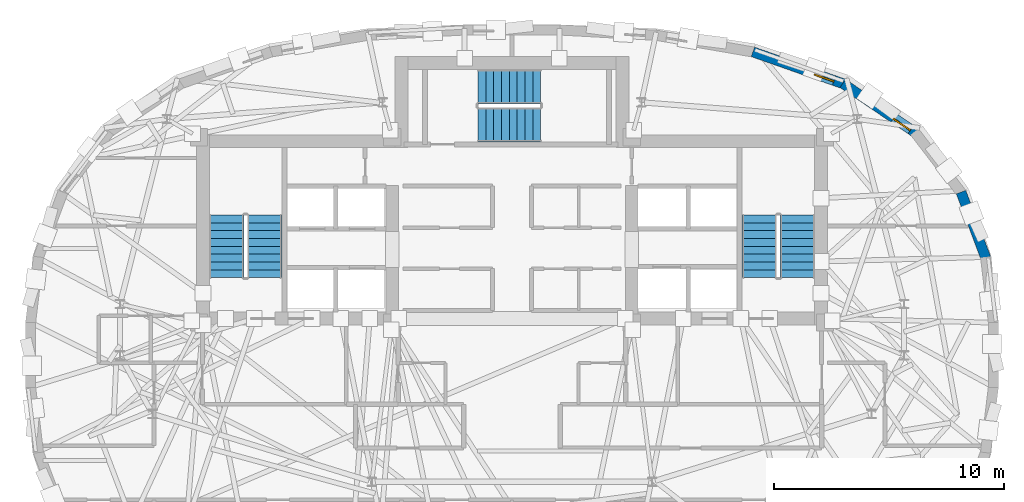
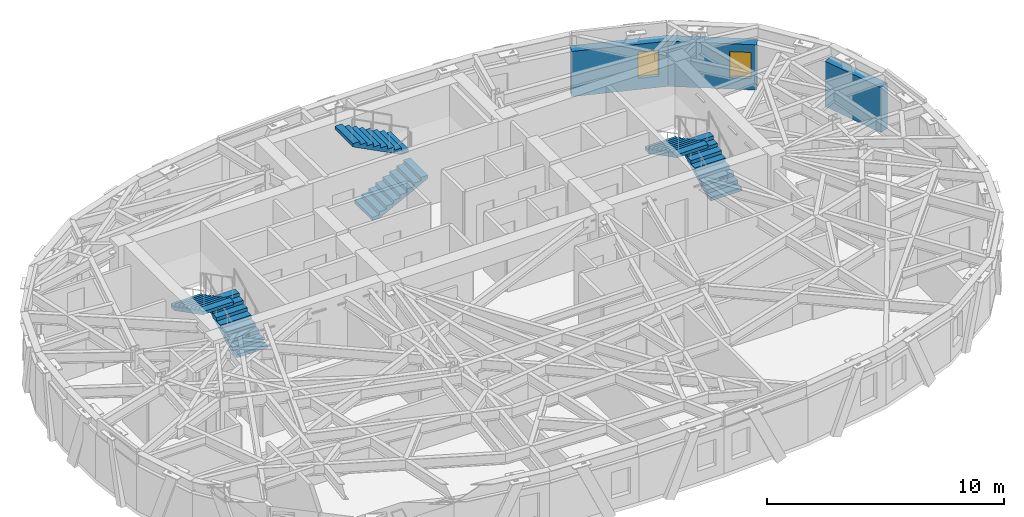
# One storey, part 9 of 12: 6 stair flights, 3 walls, 2 windows, 2 openings, 3 elements without a shape of their own.
"""IFC4 building model written with IfcOpenShell, lengths in metres."""

from ifc_helpers import new_model, si_unit, direction, frame, frame_2d, origin, place, context, subcontext, project, spatial, polyline, rectangle, outline, extrude, material, layer, layer_set, type_object, element, fill, aggregate, save


model = new_model("IFC4")

# Units and contexts
model_context = context("Model", 3, precision=1e-05, world=origin(), true_north=direction((0.0, 1.0)))
body_context = subcontext(model_context, "Body", "Model", "MODEL_VIEW")
ifc_project = project(units=[si_unit("LENGTHUNIT", "METRE"), si_unit("AREAUNIT", "SQUARE_METRE"), si_unit("VOLUMEUNIT", "CUBIC_METRE"), si_unit("PLANEANGLEUNIT", "RADIAN"), si_unit("MASSUNIT", "GRAM", prefix="KILO")], contexts=[model_context])

# Site, building, storey
site_placement = place(None, origin())
site = spatial("IfcSite", under=ifc_project, at=site_placement, CompositionType="ELEMENT")
building_placement = place(site_placement, origin())
building = spatial("IfcBuilding", under=site, at=building_placement, Name="Keldmark Tower", CompositionType="ELEMENT")
storey_placement = place(building_placement, frame((0.0, 0.0, 247.800048828125)))
storey = spatial("IfcBuildingStorey", under=building, at=storey_placement, Name="L70", CompositionType="ELEMENT", Elevation=247.800048828125)

# Wall
ifc_material_1 = material(Name="Ironspot Manganese Brick and Kasota Buff Limestone Spandrel Assembly", Category="masonry")
ifc_layer = layer(ifc_material_1, 0.43994140625)
ifc_layer_set = layer_set([ifc_layer], Name="Ironspot Manganese Brick and Kasota Buff Limestone Spandrel Assembly")
wall_type = type_object("IfcWallType", Name="Tower Brick Pier and Spandrel Wall 440 mm", PredefinedType="STANDARD", material=ifc_layer_set)
wall_1_placement = place(storey_placement, frame((19.5078125, 7.067138671875, 0.0), z_axis=(0.0, 0.0, 1.0), x_axis=(0.351786989162, -0.936080078976, 0.0)))
element("IfcWall", 1, at=wall_1_placement, inside=storey, type_object=wall_type, Name="L70 Exterior Brick and Spandrel Wall 02", PredefinedType="STANDARD", context=body_context, shape_type="SweptSolid", body=[
    extrude(rectangle(XDim=3.06396484375, YDim=0.43994140625, at=frame_2d((1.531982421875, 0.0))), origin(), (0.0, 0.0, 1.0), 2.3359375),
])

# Wall, opening, window
wall_2_placement = place(storey_placement, frame((14.3681640625, 11.790771484375, 0.0), z_axis=(0.0, 0.0, 1.0), x_axis=(0.827685387822, -0.56119239017, 0.0)))
wall_2 = element("IfcWall", 2, at=wall_2_placement, inside=storey, type_object=wall_type, Name="L70 Exterior Brick and Spandrel Wall 04", PredefinedType="STANDARD", context=body_context, shape_type="SweptSolid", body=[
    extrude(rectangle(XDim=3.82568359375, YDim=0.43994140625, at=frame_2d((1.912841796875, 0.0))), origin(), (0.0, 0.0, 1.0), 2.3359375),
])
opening_1_placement = place(wall_2_placement, frame((2.67626953125, 0.0, 0.580078125)))
opening_1 = element("IfcOpeningElement", 3, at=opening_1_placement, cuts=wall_2, Name="Opening W-09", PredefinedType="OPENING", context=body_context, shape_type="SweptSolid", body=[
    extrude(rectangle(XDim=0.89990234375, YDim=1.35009765625, at=frame_2d((0.449951171875, 0.675048828125))), frame((0.0, 0.22998046875, 0.0), z_axis=(0.0, -1.0, 0.0), x_axis=(1.0, 0.0, 0.0)), (0.0, 0.0, 1.0), 0.4599609375),
])
ifc_material_2 = material(Name="Thermally Broken Anodized Aluminum and Triple Low-E Argon Glazing", Category="aluminium")
window_type = type_object("IfcWindowType", Name="Corner Pier Deep-Set Window 900x1350", PartitioningType="SINGLE_PANEL", PredefinedType="WINDOW", material=ifc_material_2)
window_1_placement = place(opening_1_placement, origin())
window_1 = element("IfcWindow", 4, at=window_1_placement, inside=storey, type_object=window_type, Name="L70 Deep-Set Window 04", OverallHeight=1.35009765625, OverallWidth=0.89990234375, PartitioningType="SINGLE_PANEL", PredefinedType="WINDOW", context=body_context, shape_type="SweptSolid", body=[
    extrude(rectangle(XDim=0.89990234375, YDim=1.35009765625, at=frame_2d((0.449951171875, 0.675048828125))), frame((0.0, -0.010009765625, 0.0), z_axis=(0.0, -1.0, 0.0), x_axis=(1.0, 0.0, 0.0)), (0.0, 0.0, 1.0), 0.06005859375),
])
fill(opening_1, window_1)

wall_3_placement = place(storey_placement, frame((10.464111328125, 13.1591796875, 0.0), z_axis=(0.0, 0.0, 1.0), x_axis=(0.943128925421, -0.332427180047, 0.0)))
wall_3 = element("IfcWall", 5, at=wall_3_placement, inside=storey, type_object=wall_type, Name="L70 Exterior Brick and Spandrel Wall 05", PredefinedType="STANDARD", context=body_context, shape_type="SweptSolid", body=[
    extrude(rectangle(XDim=4.19287109375, YDim=0.43994140625, at=frame_2d((2.096435546875, 0.0))), origin(), (0.0, 0.0, 1.0), 2.3359375),
])
opening_2_placement = place(wall_3_placement, frame((2.843505859375, 0.0, 0.580078125)))
opening_2 = element("IfcOpeningElement", 6, at=opening_2_placement, cuts=wall_3, Name="Opening W-09", PredefinedType="OPENING", context=body_context, shape_type="SweptSolid", body=[
    extrude(rectangle(XDim=0.89990234375, YDim=1.35009765625, at=frame_2d((0.449951171875, 0.675048828125))), frame((0.0, 0.22998046875, 0.0), z_axis=(0.0, -1.0, 0.0), x_axis=(1.0, 0.0, 0.0)), (0.0, 0.0, 1.0), 0.4599609375),
])
window_2_placement = place(opening_2_placement, origin())
window_2 = element("IfcWindow", 7, at=window_2_placement, inside=storey, type_object=window_type, Name="L70 Deep-Set Window 05", OverallHeight=1.35009765625, OverallWidth=0.89990234375, PartitioningType="SINGLE_PANEL", PredefinedType="WINDOW", context=body_context, shape_type="SweptSolid", body=[
    extrude(rectangle(XDim=0.89990234375, YDim=1.35009765625, at=frame_2d((0.449951171875, 0.675048828125))), frame((0.0, -0.010009765625, 0.0), z_axis=(0.0, -1.0, 0.0), x_axis=(1.0, 0.0, 0.0)), (0.0, 0.0, 1.0), 0.06005859375),
])
fill(opening_2, window_2)

# Stair, stair flights
ifc_material_3 = material(Name="Concrete C40/50", Category="concrete")
stair_type = type_object("IfcStairType", Name="Precast Concrete Core Exit Stair", PredefinedType="HALF_TURN_STAIR", material=ifc_material_3)
stair_1_placement = place(storey_placement, origin())
stair_1 = element("IfcStair", 8, at=stair_1_placement, inside=storey, type_object=stair_type, Name="L70 Exit Stair ST1", PredefinedType="HALF_TURN_STAIR")
ifc_material_4 = material(Name="Concrete C40/50", Category="concrete")
stair_flight_type = type_object("IfcStairFlightType", Name="Precast Concrete Stair Flight 1500 mm", PredefinedType="STRAIGHT", material=ifc_material_4)
stair_flight_1_placement = place(storey_placement, frame((-10.75, 3.35009765625, 0.0), z_axis=(0.0, 0.0, 1.0), x_axis=(0.0, 1.0, 0.0)))
stair_flight_1 = element("IfcStairFlight", 9, at=stair_flight_1_placement, type_object=stair_flight_type, Name="ST1 flight 1", NumberOfRisers=9, NumberOfTreads=8, PredefinedType="STRAIGHT", RiserHeight=0.175, TreadLength=0.34, context=body_context, shape_type="SweptSolid", body=[
    extrude(outline(polyline([(0.0, 0.0), (0.0, 0.175048828125), (0.340087890625, 0.175048828125), (0.340087890625, 0.35009765625), (0.679931640625, 0.35009765625), (0.679931640625, 0.52490234375), (1.02001953125, 0.52490234375), (1.02001953125, 0.699951171875), (1.360107421875, 0.699951171875), (1.360107421875, 0.875), (1.699951171875, 0.875), (1.699951171875, 1.050048828125), (2.0400390625, 1.050048828125), (2.0400390625, 1.22509765625), (2.3798828125, 1.22509765625), (2.3798828125, 1.39990234375), (2.719970703125, 1.39990234375), (2.719970703125, 1.574951171875), (2.719970703125, 1.2314453125), (0.32763671875, 0.0), (0.0, 0.0)])), frame((0.0, 0.75, 0.0), z_axis=(0.0, -1.0, 0.0), x_axis=(1.0, 0.0, 0.0)), (0.0, 0.0, 1.0), 1.5),
])
stair_flight_2_placement = place(storey_placement, frame((-12.39990234375, 6.070068359375, 1.574951171875), z_axis=(0.0, 0.0, 1.0), x_axis=(0.0, -1.0, 0.0)))
stair_flight_2 = element("IfcStairFlight", 10, at=stair_flight_2_placement, type_object=stair_flight_type, Name="ST1 flight 2", NumberOfRisers=9, NumberOfTreads=8, PredefinedType="STRAIGHT", RiserHeight=0.175, TreadLength=0.34, context=body_context, shape_type="SweptSolid", body=[
    extrude(outline(polyline([(0.0, 0.0), (0.0, 0.175048828125), (0.340087890625, 0.175048828125), (0.340087890625, 0.35009765625), (0.679931640625, 0.35009765625), (0.679931640625, 0.52490234375), (1.02001953125, 0.52490234375), (1.02001953125, 0.699951171875), (1.360107421875, 0.699951171875), (1.360107421875, 0.875), (1.699951171875, 0.875), (1.699951171875, 1.050048828125), (2.0400390625, 1.050048828125), (2.0400390625, 1.22509765625), (2.3798828125, 1.22509765625), (2.3798828125, 1.39990234375), (2.719970703125, 1.39990234375), (2.719970703125, 1.574951171875), (2.719970703125, 1.2314453125), (0.32763671875, 0.0), (0.0, 0.0)])), frame((0.0, 0.75, 0.0), z_axis=(0.0, -1.0, 0.0), x_axis=(1.0, 0.0, 0.0)), (0.0, 0.0, 1.0), 1.5),
])
aggregate(stair_1, [stair_flight_1, stair_flight_2])

stair_2_placement = place(storey_placement, origin())
stair_2 = element("IfcStair", 11, at=stair_2_placement, inside=storey, type_object=stair_type, Name="L70 Exit Stair ST2", PredefinedType="HALF_TURN_STAIR")
stair_flight_3_placement = place(storey_placement, frame((12.39990234375, 3.35009765625, 0.0), z_axis=(0.0, 0.0, 1.0), x_axis=(0.0, 1.0, 0.0)))
stair_flight_3 = element("IfcStairFlight", 12, at=stair_flight_3_placement, type_object=stair_flight_type, Name="ST2 flight 1", NumberOfRisers=9, NumberOfTreads=8, PredefinedType="STRAIGHT", RiserHeight=0.175, TreadLength=0.34, context=body_context, shape_type="SweptSolid", body=[
    extrude(outline(polyline([(0.0, 0.0), (0.0, 0.175048828125), (0.340087890625, 0.175048828125), (0.340087890625, 0.35009765625), (0.679931640625, 0.35009765625), (0.679931640625, 0.52490234375), (1.02001953125, 0.52490234375), (1.02001953125, 0.699951171875), (1.360107421875, 0.699951171875), (1.360107421875, 0.875), (1.699951171875, 0.875), (1.699951171875, 1.050048828125), (2.0400390625, 1.050048828125), (2.0400390625, 1.22509765625), (2.3798828125, 1.22509765625), (2.3798828125, 1.39990234375), (2.719970703125, 1.39990234375), (2.719970703125, 1.574951171875), (2.719970703125, 1.2314453125), (0.32763671875, 0.0), (0.0, 0.0)])), frame((0.0, 0.75, 0.0), z_axis=(0.0, -1.0, 0.0), x_axis=(1.0, 0.0, 0.0)), (0.0, 0.0, 1.0), 1.5),
])
stair_flight_4_placement = place(storey_placement, frame((10.75, 6.070068359375, 1.574951171875), z_axis=(0.0, 0.0, 1.0), x_axis=(0.0, -1.0, 0.0)))
stair_flight_4 = element("IfcStairFlight", 13, at=stair_flight_4_placement, type_object=stair_flight_type, Name="ST2 flight 2", NumberOfRisers=9, NumberOfTreads=8, PredefinedType="STRAIGHT", RiserHeight=0.175, TreadLength=0.34, context=body_context, shape_type="SweptSolid", body=[
    extrude(outline(polyline([(0.0, 0.0), (0.0, 0.175048828125), (0.340087890625, 0.175048828125), (0.340087890625, 0.35009765625), (0.679931640625, 0.35009765625), (0.679931640625, 0.52490234375), (1.02001953125, 0.52490234375), (1.02001953125, 0.699951171875), (1.360107421875, 0.699951171875), (1.360107421875, 0.875), (1.699951171875, 0.875), (1.699951171875, 1.050048828125), (2.0400390625, 1.050048828125), (2.0400390625, 1.22509765625), (2.3798828125, 1.22509765625), (2.3798828125, 1.39990234375), (2.719970703125, 1.39990234375), (2.719970703125, 1.574951171875), (2.719970703125, 1.2314453125), (0.32763671875, 0.0), (0.0, 0.0)])), frame((0.0, 0.75, 0.0), z_axis=(0.0, -1.0, 0.0), x_axis=(1.0, 0.0, 0.0)), (0.0, 0.0, 1.0), 1.5),
])
aggregate(stair_2, [stair_flight_3, stair_flight_4])

stair_3_placement = place(storey_placement, origin())
stair_3 = element("IfcStair", 14, at=stair_3_placement, inside=storey, type_object=stair_type, Name="L70 Exit Stair ST3", PredefinedType="HALF_TURN_STAIR")
stair_flight_5_placement = place(storey_placement, frame((-1.47509765625, 10.0, 0.0), z_axis=(0.0, 0.0, 1.0), x_axis=(1.0, 0.0, 0.0)))
stair_flight_5 = element("IfcStairFlight", 15, at=stair_flight_5_placement, type_object=stair_flight_type, Name="ST3 flight 1", NumberOfRisers=9, NumberOfTreads=8, PredefinedType="STRAIGHT", RiserHeight=0.175, TreadLength=0.34, context=body_context, shape_type="SweptSolid", body=[
    extrude(outline(polyline([(0.0, 0.0), (0.0, 0.175048828125), (0.340087890625, 0.175048828125), (0.340087890625, 0.35009765625), (0.679931640625, 0.35009765625), (0.679931640625, 0.52490234375), (1.02001953125, 0.52490234375), (1.02001953125, 0.699951171875), (1.360107421875, 0.699951171875), (1.360107421875, 0.875), (1.699951171875, 0.875), (1.699951171875, 1.050048828125), (2.0400390625, 1.050048828125), (2.0400390625, 1.22509765625), (2.3798828125, 1.22509765625), (2.3798828125, 1.39990234375), (2.719970703125, 1.39990234375), (2.719970703125, 1.574951171875), (2.719970703125, 1.2314453125), (0.32763671875, 0.0), (0.0, 0.0)])), frame((0.0, 0.75, 0.0), z_axis=(0.0, -1.0, 0.0), x_axis=(1.0, 0.0, 0.0)), (0.0, 0.0, 1.0), 1.5),
])
stair_flight_6_placement = place(storey_placement, frame((1.2451171875, 11.64990234375, 1.574951171875), z_axis=(0.0, 0.0, 1.0), x_axis=(-1.0, 0.0, 0.0)))
stair_flight_6 = element("IfcStairFlight", 16, at=stair_flight_6_placement, type_object=stair_flight_type, Name="ST3 flight 2", NumberOfRisers=9, NumberOfTreads=8, PredefinedType="STRAIGHT", RiserHeight=0.175, TreadLength=0.34, context=body_context, shape_type="SweptSolid", body=[
    extrude(outline(polyline([(0.0, 0.0), (0.0, 0.175048828125), (0.340087890625, 0.175048828125), (0.340087890625, 0.35009765625), (0.679931640625, 0.35009765625), (0.679931640625, 0.52490234375), (1.02001953125, 0.52490234375), (1.02001953125, 0.699951171875), (1.360107421875, 0.699951171875), (1.360107421875, 0.875), (1.699951171875, 0.875), (1.699951171875, 1.050048828125), (2.0400390625, 1.050048828125), (2.0400390625, 1.22509765625), (2.3798828125, 1.22509765625), (2.3798828125, 1.39990234375), (2.719970703125, 1.39990234375), (2.719970703125, 1.574951171875), (2.719970703125, 1.2314453125), (0.32763671875, 0.0), (0.0, 0.0)])), frame((0.0, 0.75, 0.0), z_axis=(0.0, -1.0, 0.0), x_axis=(1.0, 0.0, 0.0)), (0.0, 0.0, 1.0), 1.5),
])
aggregate(stair_3, [stair_flight_5, stair_flight_6])

save(model, "model.ifc")
